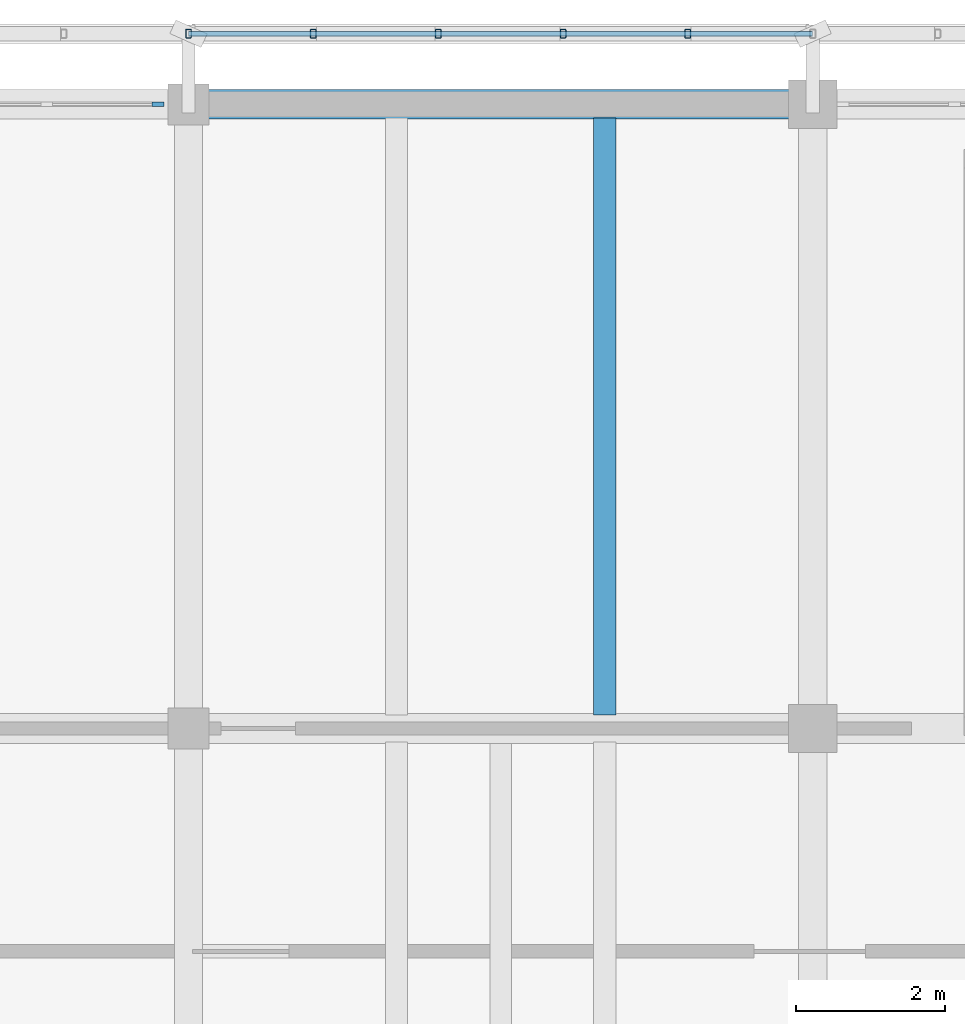
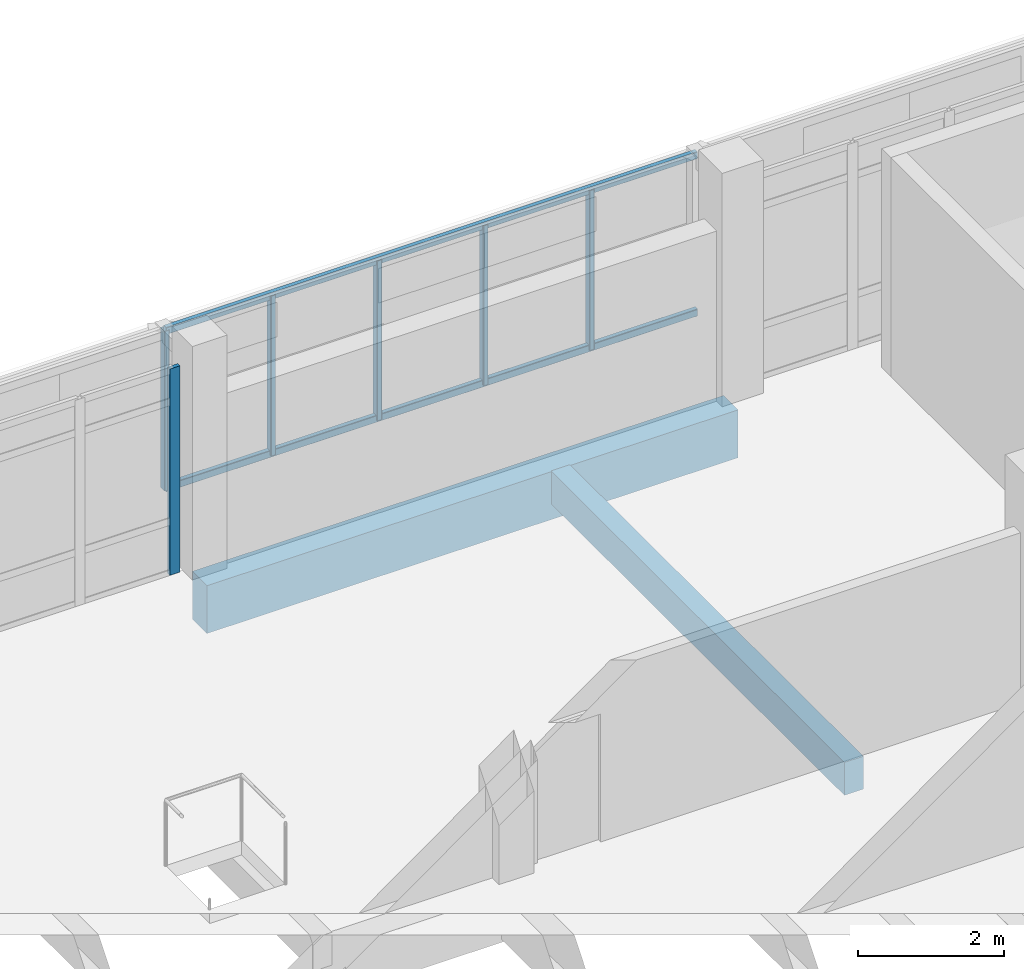
# One storey, part 47 of 117: 8 members, 2 beams, 1 element without a shape of its own.
"""IFC4 building model written with IfcOpenShell, lengths in metres."""

from ifc_helpers import new_model, si_unit, direction, frame, origin, origin_2d, place, context, subcontext, project, spatial, rectangle, hollow_rectangle, extrude, material, material_profile, profile_set, type_object, element, aggregate, save


model = new_model("IFC4")

# Units and contexts
model_context = context("Model", 3, precision=1e-05, world=origin(), true_north=direction((0.0, 1.0)))
body_context = subcontext(model_context, "Body", "Model", "MODEL_VIEW")
ifc_project = project(units=[si_unit("LENGTHUNIT", "METRE"), si_unit("AREAUNIT", "SQUARE_METRE"), si_unit("VOLUMEUNIT", "CUBIC_METRE"), si_unit("PLANEANGLEUNIT", "RADIAN"), si_unit("MASSUNIT", "GRAM", prefix="KILO")], contexts=[model_context])

# Site, building, storey
site_placement = place(None, origin())
site = spatial("IfcSite", under=ifc_project, at=site_placement, CompositionType="ELEMENT")
building_placement = place(site_placement, origin())
building = spatial("IfcBuilding", under=site, at=building_placement, Name="Cinderway Yard Community Centre", CompositionType="ELEMENT")
storey_placement = place(building_placement, frame((0.0, 0.0, 9.0)))
storey = spatial("IfcBuildingStorey", under=building, at=storey_placement, Name="L02", CompositionType="ELEMENT", Elevation=9.0)

# Curtain wall, member
ifc_material_1 = material(Name="Aluminium 6063-T6", Category="aluminium")
curtain_wall_type = type_object("IfcCurtainWallType", Name="ENV-CW-TYPE-29", PredefinedType="USERDEFINED", material=ifc_material_1)
curtain_wall_placement = place(storey_placement, origin())
curtain_wall = element("IfcCurtainWall", 1, at=curtain_wall_placement, inside=storey, type_object=curtain_wall_type, Name="V4 Street Curtain Wall ENV-CW-L02-ST-0142", ObjectType="GLAZED CURTAIN WALL", PredefinedType="USERDEFINED")
ifc_material_profile_1 = material_profile(ifc_material_1, rectangle(XDim=0.06005859375, YDim=0.159912109375, at=origin_2d()), Name="Aluminium 6063-T6")
ifc_profile_set_1 = profile_set([ifc_material_profile_1], Name="Aluminium 6063-T6")
member_type_1 = type_object("IfcMemberType", Name="ENV-CW-MULL-150", PredefinedType="MULLION", material=ifc_profile_set_1)
member_1_placement = place(storey_placement, frame((49.590087890625, 115.199951171875, 0.0), z_axis=(0.0, 0.0, 1.0), x_axis=(0.0, 1.0, 0.0)))
member_1 = element("IfcMember", 2, at=member_1_placement, type_object=member_type_1, Name="CW-29 mullion 6", PredefinedType="MULLION", context=body_context, shape_type="SweptSolid", body=[
    extrude(rectangle(XDim=0.06005859375, YDim=0.159912109375, at=origin_2d()), origin(), (0.0, 0.0, 1.0), 3.449951171875),
])
aggregate(curtain_wall, [member_1])

# Members
ifc_material_2 = material(Name="Steel S355", Category="steel")
ifc_material_profile_2 = material_profile(ifc_material_2, hollow_rectangle(XDim=0.080078125, YDim=0.1201171875, WallThickness=0.00634765625, InnerFilletRadius=0.00634765625, OuterFilletRadius=0.0126953125, at=origin_2d()), Name="Steel S355")
ifc_profile_set_2 = profile_set([ifc_material_profile_2], Name="Steel S355")
member_type_2 = type_object("IfcMemberType", Name="ENV-MEM-SCREEN-RAIL-120", PredefinedType="STRINGER", material=ifc_profile_set_2)
member_2_placement = place(storey_placement, frame((50.0, 116.14990234375, 0.68994140625), z_axis=(0.0, 0.0, 1.0), x_axis=(1.0, 0.0, 0.0)))
element("IfcMember", 3, at=member_2_placement, inside=storey, type_object=member_type_2, Name="Screen vertical mullion 0105", PredefinedType="STRINGER", context=body_context, shape_type="SweptSolid", body=[
    extrude(hollow_rectangle(XDim=0.080078125, YDim=0.1201171875, WallThickness=0.00634765625, InnerFilletRadius=0.00634765625, OuterFilletRadius=0.0126953125, at=origin_2d()), origin(), (0.0, 0.0, 1.0), 2.670166015625),
])
for number, where, z_axis, x_axis, name in (
    (4, (50.0, 116.14990234375, 0.7099609375), (1.0, 0.0, 0.0), (0.0, 1.0, 0.0), "Screen support rail 0107-BOT"),
    (5, (50.0, 116.14990234375, 3.340087890625), (1.0, 0.0, 0.0), (0.0, 1.0, 0.0), "Screen support rail 0108-TOP"),
):
    element("IfcMember", number, at=place(storey_placement, frame(where, z_axis=z_axis, x_axis=x_axis)), inside=storey, type_object=member_type_2, Name=name, PredefinedType="STRINGER", context=body_context, shape_type="SweptSolid", body=[
        extrude(hollow_rectangle(XDim=0.080078125, YDim=0.1201171875, WallThickness=0.00634765625, InnerFilletRadius=0.00634765625, OuterFilletRadius=0.0126953125, at=origin_2d()), origin(), (0.0, 0.0, 1.0), 8.39990234375),
    ])
for number, where, z_axis, x_axis, name in (
    (6, (51.679931640625, 116.14990234375, 0.68994140625), (0.0, 0.0, 1.0), (1.0, 0.0, 0.0), "Screen vertical mullion 0109"),
    (7, (53.360107421875, 116.14990234375, 0.68994140625), (0.0, 0.0, 1.0), (1.0, 0.0, 0.0), "Screen vertical mullion 0110"),
    (8, (55.0400390625, 116.14990234375, 0.68994140625), (0.0, 0.0, 1.0), (1.0, 0.0, 0.0), "Screen vertical mullion 0111"),
    (9, (56.719970703125, 116.14990234375, 0.68994140625), (0.0, 0.0, 1.0), (1.0, 0.0, 0.0), "Screen vertical mullion 0112"),
):
    element("IfcMember", number, at=place(storey_placement, frame(where, z_axis=z_axis, x_axis=x_axis)), inside=storey, type_object=member_type_2, Name=name, PredefinedType="STRINGER", context=body_context, shape_type="SweptSolid", body=[
        extrude(hollow_rectangle(XDim=0.080078125, YDim=0.1201171875, WallThickness=0.00634765625, InnerFilletRadius=0.00634765625, OuterFilletRadius=0.0126953125, at=origin_2d()), origin(), (0.0, 0.0, 1.0), 2.670166015625),
    ])

# Beams
ifc_material_3 = material(Name="Concrete C35/45", Category="concrete")
ifc_material_profile_3 = material_profile(ifc_material_3, rectangle(XDim=0.300048828125, YDim=0.550048828125, at=origin_2d()), Name="Concrete C35/45")
ifc_profile_set_3 = profile_set([ifc_material_profile_3], Name="Concrete C35/45")
beam_type_1 = type_object("IfcBeamType", Name="STR-BM-RC300X550", PredefinedType="JOIST", material=ifc_profile_set_3)
beam_1_placement = place(storey_placement, frame((55.60009765625, 106.98193359375, -0.514892578125), z_axis=(0.0, 1.0, 0.0), x_axis=(-1.0, 0.0, 0.0)))
element("IfcBeam", 10, at=beam_1_placement, inside=storey, type_object=beam_type_1, Name="Secondary joist STR-BM-L02-BJ03-0594", PredefinedType="JOIST", context=body_context, shape_type="SweptSolid", body=[
    extrude(rectangle(XDim=0.300048828125, YDim=0.550048828125, at=origin_2d()), origin(), (0.0, 0.0, 1.0), 8.0361328125),
])
ifc_material_4 = material(Name="Concrete C40/50", Category="concrete")
ifc_material_profile_4 = material_profile(ifc_material_4, rectangle(XDim=0.39990234375, YDim=0.800048828125, at=origin_2d()), Name="Concrete C40/50")
ifc_profile_set_4 = profile_set([ifc_material_profile_4], Name="Concrete C40/50")
beam_type_2 = type_object("IfcBeamType", Name="STR-BM-RC400X800", PredefinedType="BEAM", material=ifc_profile_set_4)
beam_2_placement = place(storey_placement, frame((50.0, 115.199951171875, -0.639892578125), z_axis=(1.0, 0.0, 0.0), x_axis=(0.0, 1.0, 0.0)))
element("IfcBeam", 11, at=beam_2_placement, inside=storey, type_object=beam_type_2, Name="Primary girder STR-BM-L02-BG05-0533", PredefinedType="BEAM", context=body_context, shape_type="SweptSolid", body=[
    extrude(rectangle(XDim=0.39990234375, YDim=0.800048828125, at=origin_2d()), origin(), (0.0, 0.0, 1.0), 8.39990234375),
])

save(model, "model.ifc")
